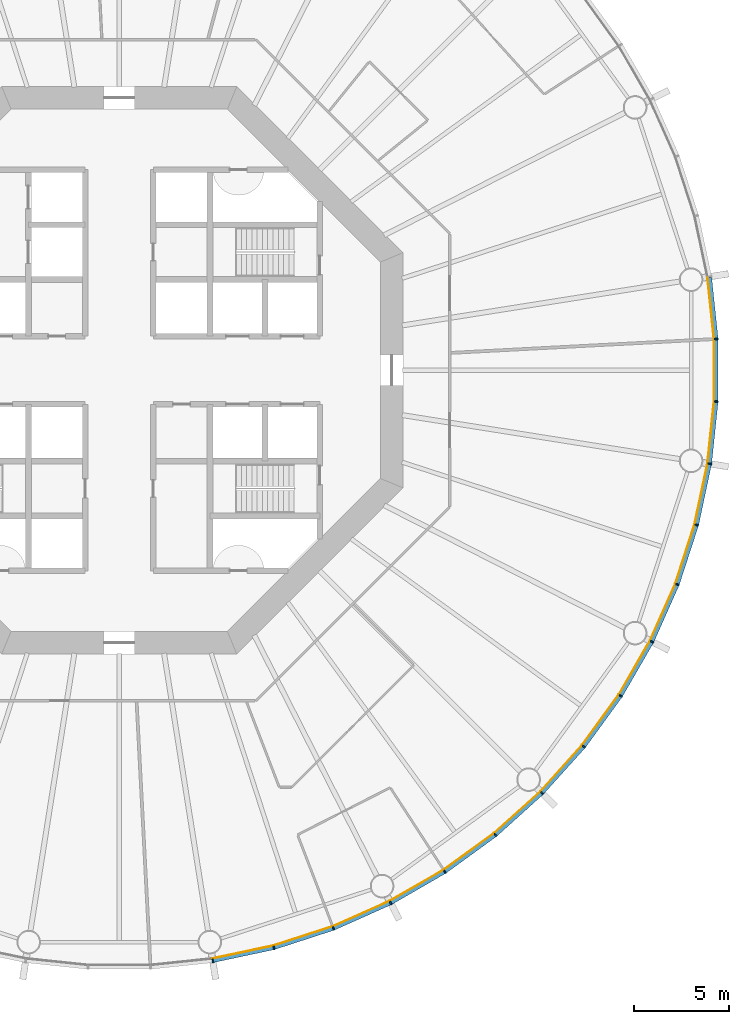
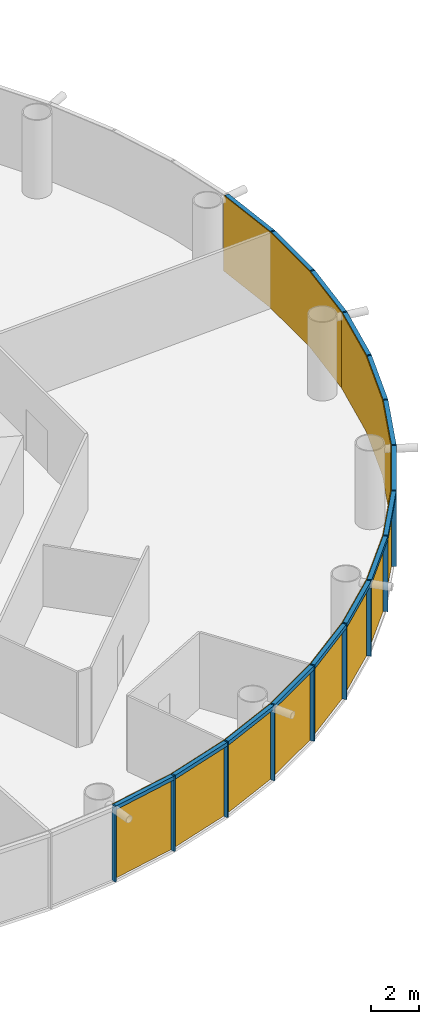
# One storey, part 9 of 13: 30 members, 5 curtain walls.
"""IFC4 building model written with IfcOpenShell, lengths in metres."""

from ifc_helpers import new_model, si_unit, direction, frame, origin, origin_2d, place, context, subcontext, project, spatial, polyline, rectangle, outline, extrude, material, layer, layer_set, material_profile, profile_set, type_object, element, aggregate, save


model = new_model("IFC4")

# Units and contexts
model_context = context("Model", 3, precision=1e-05, world=origin(), true_north=direction((0.0, 1.0)))
body_context = subcontext(model_context, "Body", "Model", "MODEL_VIEW")
ifc_project = project(units=[si_unit("LENGTHUNIT", "METRE"), si_unit("AREAUNIT", "SQUARE_METRE"), si_unit("VOLUMEUNIT", "CUBIC_METRE"), si_unit("PLANEANGLEUNIT", "RADIAN"), si_unit("MASSUNIT", "GRAM", prefix="KILO")], contexts=[model_context])

# Member
ifc_material_1 = material(Name="Anodised aluminium", Category="aluminium")
ifc_material_profile_1 = material_profile(ifc_material_1, rectangle(XDim=0.070068359375, YDim=0.199951171875, at=origin_2d()), Name="Mullion 70 x 200 mm anodised aluminium")
ifc_profile_set_1 = profile_set([ifc_material_profile_1], Name="Anodised aluminium")
member_type_1 = type_object("IfcMemberType", Name="Mullion 70 x 200 mm anodised aluminium", PredefinedType="MULLION", material=ifc_profile_set_1)
site_placement = place(None, origin())
building_placement = place(site_placement, origin())
storey_placement = place(building_placement, frame((0.0, 0.0, 92.0)))
member_1_placement = place(storey_placement, frame((94.943359375, 48.7890625, 0.0), z_axis=(0.0, 0.0, 1.0), x_axis=(0.987688340595, 0.15643446504, 0.0)))
member_1 = element("IfcMember", 1, at=member_1_placement, type_object=member_type_1, Name="MULLION L20-45", PredefinedType="MULLION", context=body_context, shape_type="SweptSolid", body=[
    extrude(rectangle(XDim=0.070068359375, YDim=0.199951171875, at=origin_2d()), origin(), (0.0, 0.0, 1.0), 3.85009765625),
])

member_2_placement = place(storey_placement, frame((98.1787109375, 49.476806640625, 0.0), z_axis=(0.0, 0.0, 1.0), x_axis=(0.965925826289, 0.258819045103, 0.0)))
member_2 = element("IfcMember", 2, at=member_2_placement, type_object=member_type_1, Name="MULLION L20-46", PredefinedType="MULLION", context=body_context, shape_type="SweptSolid", body=[
    extrude(rectangle(XDim=0.070068359375, YDim=0.199951171875, at=origin_2d()), origin(), (0.0, 0.0, 1.0), 3.85009765625),
])

member_3_placement = place(storey_placement, frame((101.324462890625, 50.498779296875, 0.0), z_axis=(0.0, 0.0, 1.0), x_axis=(0.933580426497, 0.358367949545, 0.0)))
member_3 = element("IfcMember", 3, at=member_3_placement, type_object=member_type_1, Name="MULLION L20-47", PredefinedType="MULLION", context=body_context, shape_type="SweptSolid", body=[
    extrude(rectangle(XDim=0.070068359375, YDim=0.199951171875, at=origin_2d()), origin(), (0.0, 0.0, 1.0), 3.85009765625),
])

member_4_placement = place(storey_placement, frame((104.34619140625, 51.84423828125, 0.0), z_axis=(0.0, 0.0, 1.0), x_axis=(0.891006524188, 0.45399049974, 0.0)))
member_4 = element("IfcMember", 4, at=member_4_placement, type_object=member_type_1, Name="MULLION L20-48", PredefinedType="MULLION", context=body_context, shape_type="SweptSolid", body=[
    extrude(rectangle(XDim=0.070068359375, YDim=0.199951171875, at=origin_2d()), origin(), (0.0, 0.0, 1.0), 3.85009765625),
])

member_5_placement = place(storey_placement, frame((107.210693359375, 53.498046875, 0.0), z_axis=(0.0, 0.0, 1.0), x_axis=(0.838670567945, 0.544639035015, 0.0)))
member_5 = element("IfcMember", 5, at=member_5_placement, type_object=member_type_1, Name="MULLION L20-49", PredefinedType="MULLION", context=body_context, shape_type="SweptSolid", body=[
    extrude(rectangle(XDim=0.070068359375, YDim=0.199951171875, at=origin_2d()), origin(), (0.0, 0.0, 1.0), 3.85009765625),
])

member_6_placement = place(storey_placement, frame((109.886474609375, 55.442138671875, 0.0), z_axis=(0.0, 0.0, 1.0), x_axis=(0.777145961457, 0.62932039105, 0.0)))
member_6 = element("IfcMember", 6, at=member_6_placement, type_object=member_type_1, Name="MULLION L20-50", PredefinedType="MULLION", context=body_context, shape_type="SweptSolid", body=[
    extrude(rectangle(XDim=0.070068359375, YDim=0.199951171875, at=origin_2d()), origin(), (0.0, 0.0, 1.0), 3.85009765625),
])

member_7_placement = place(storey_placement, frame((112.344482421875, 57.655517578125, 0.0), z_axis=(0.0, 0.0, 1.0), x_axis=(0.707106781187, 0.707106781187, 0.0)))
member_7 = element("IfcMember", 7, at=member_7_placement, type_object=member_type_1, Name="MULLION L20-51", PredefinedType="MULLION", context=body_context, shape_type="SweptSolid", body=[
    extrude(rectangle(XDim=0.070068359375, YDim=0.199951171875, at=origin_2d()), origin(), (0.0, 0.0, 1.0), 3.85009765625),
])

member_8_placement = place(storey_placement, frame((114.557861328125, 60.113525390625, 0.0), z_axis=(0.0, 0.0, 1.0), x_axis=(0.62932039105, 0.777145961457, 0.0)))
member_8 = element("IfcMember", 8, at=member_8_placement, type_object=member_type_1, Name="MULLION L20-52", PredefinedType="MULLION", context=body_context, shape_type="SweptSolid", body=[
    extrude(rectangle(XDim=0.070068359375, YDim=0.199951171875, at=origin_2d()), origin(), (0.0, 0.0, 1.0), 3.85009765625),
])

member_9_placement = place(storey_placement, frame((116.501953125, 62.789306640625, 0.0), z_axis=(0.0, 0.0, 1.0), x_axis=(0.544639035015, 0.838670567945, 0.0)))
member_9 = element("IfcMember", 9, at=member_9_placement, type_object=member_type_1, Name="MULLION L20-53", PredefinedType="MULLION", context=body_context, shape_type="SweptSolid", body=[
    extrude(rectangle(XDim=0.070068359375, YDim=0.199951171875, at=origin_2d()), origin(), (0.0, 0.0, 1.0), 3.85009765625),
])

member_10_placement = place(storey_placement, frame((118.15576171875, 65.65380859375, 0.0), z_axis=(0.0, 0.0, 1.0), x_axis=(0.45399049974, 0.891006524188, 0.0)))
member_10 = element("IfcMember", 10, at=member_10_placement, type_object=member_type_1, Name="MULLION L20-54", PredefinedType="MULLION", context=body_context, shape_type="SweptSolid", body=[
    extrude(rectangle(XDim=0.070068359375, YDim=0.199951171875, at=origin_2d()), origin(), (0.0, 0.0, 1.0), 3.85009765625),
])

member_11_placement = place(storey_placement, frame((119.501220703125, 68.675537109375, 0.0), z_axis=(0.0, 0.0, 1.0), x_axis=(0.358367949545, 0.933580426497, 0.0)))
member_11 = element("IfcMember", 11, at=member_11_placement, type_object=member_type_1, Name="MULLION L20-55", PredefinedType="MULLION", context=body_context, shape_type="SweptSolid", body=[
    extrude(rectangle(XDim=0.070068359375, YDim=0.199951171875, at=origin_2d()), origin(), (0.0, 0.0, 1.0), 3.85009765625),
])

member_12_placement = place(storey_placement, frame((120.523193359375, 71.8212890625, 0.0), z_axis=(0.0, 0.0, 1.0), x_axis=(0.258819045103, 0.965925826289, 0.0)))
member_12 = element("IfcMember", 12, at=member_12_placement, type_object=member_type_1, Name="MULLION L20-56", PredefinedType="MULLION", context=body_context, shape_type="SweptSolid", body=[
    extrude(rectangle(XDim=0.070068359375, YDim=0.199951171875, at=origin_2d()), origin(), (0.0, 0.0, 1.0), 3.85009765625),
])

member_13_placement = place(storey_placement, frame((121.2109375, 75.056640625, 0.0), z_axis=(0.0, 0.0, 1.0), x_axis=(0.15643446504, 0.987688340595, 0.0)))
member_13 = element("IfcMember", 13, at=member_13_placement, type_object=member_type_1, Name="MULLION L20-57", PredefinedType="MULLION", context=body_context, shape_type="SweptSolid", body=[
    extrude(rectangle(XDim=0.070068359375, YDim=0.199951171875, at=origin_2d()), origin(), (0.0, 0.0, 1.0), 3.85009765625),
])

member_14_placement = place(storey_placement, frame((121.556640625, 78.34619140625, 0.0), z_axis=(0.0, 0.0, 1.0), x_axis=(0.052335956243, 0.998629534755, 0.0)))
member_14 = element("IfcMember", 14, at=member_14_placement, type_object=member_type_1, Name="MULLION L20-58", PredefinedType="MULLION", context=body_context, shape_type="SweptSolid", body=[
    extrude(rectangle(XDim=0.070068359375, YDim=0.199951171875, at=origin_2d()), origin(), (0.0, 0.0, 1.0), 3.85009765625),
])

member_15_placement = place(storey_placement, frame((121.556640625, 81.65380859375, 0.0), z_axis=(0.0, 0.0, 1.0), x_axis=(-0.052335956243, 0.998629534755, 0.0)))
member_15 = element("IfcMember", 15, at=member_15_placement, type_object=member_type_1, Name="MULLION L20-59", PredefinedType="MULLION", context=body_context, shape_type="SweptSolid", body=[
    extrude(rectangle(XDim=0.070068359375, YDim=0.199951171875, at=origin_2d()), origin(), (0.0, 0.0, 1.0), 3.85009765625),
])

ifc_material_2 = material(Name="Anodised aluminium", Category="aluminium")
ifc_material_profile_2 = material_profile(ifc_material_2, rectangle(XDim=0.199951171875, YDim=0.18994140625, at=origin_2d()), Name="Transom 190 x 200 mm anodised aluminium")
ifc_profile_set_2 = profile_set([ifc_material_profile_2], Name="Anodised aluminium")
member_type_2 = type_object("IfcMemberType", Name="Transom 190 x 200 mm anodised aluminium", PredefinedType="USERDEFINED", material=ifc_profile_set_2)
member_16_placement = place(storey_placement, frame((94.982666015625, 48.79736328125, 3.7548828125), z_axis=(0.978153082647, 0.207885898771, 0.0), x_axis=(-0.207885898771, 0.978153082647, 0.0)))
member_16 = element("IfcMember", 16, at=member_16_placement, type_object=member_type_2, Name="TRANSOM L20-45", ObjectType="TRANSOM", PredefinedType="USERDEFINED", context=body_context, shape_type="SweptSolid", body=[
    extrude(rectangle(XDim=0.199951171875, YDim=0.18994140625, at=origin_2d()), origin(), (0.0, 0.0, 1.0), 3.227294921875),
])

member_17_placement = place(storey_placement, frame((98.217041015625, 49.489013671875, 3.7548828125), z_axis=(0.951046855117, 0.309046726844, 0.0), x_axis=(-0.309046726844, 0.951046855117, 0.0)))
member_17 = element("IfcMember", 17, at=member_17_placement, type_object=member_type_2, Name="TRANSOM L20-46", ObjectType="TRANSOM", PredefinedType="USERDEFINED", context=body_context, shape_type="SweptSolid", body=[
    extrude(rectangle(XDim=0.199951171875, YDim=0.18994140625, at=origin_2d()), origin(), (0.0, 0.0, 1.0), 3.22705078125),
])

member_18_placement = place(storey_placement, frame((101.361328125, 50.51513671875, 3.7548828125), z_axis=(0.913549291349, 0.406728032322, 0.0), x_axis=(-0.406728032322, 0.913549291349, 0.0)))
member_18 = element("IfcMember", 18, at=member_18_placement, type_object=member_type_2, Name="TRANSOM L20-47", ObjectType="TRANSOM", PredefinedType="USERDEFINED", context=body_context, shape_type="SweptSolid", body=[
    extrude(rectangle(XDim=0.199951171875, YDim=0.18994140625, at=origin_2d()), origin(), (0.0, 0.0, 1.0), 3.22705078125),
])

member_19_placement = place(storey_placement, frame((104.381103515625, 51.8642578125, 3.7548828125), z_axis=(0.866023062494, 0.500004055213, 0.0), x_axis=(-0.500004055213, 0.866023062494, 0.0)))
member_19 = element("IfcMember", 19, at=member_19_placement, type_object=member_type_2, Name="TRANSOM L20-48", ObjectType="TRANSOM", PredefinedType="USERDEFINED", context=body_context, shape_type="SweptSolid", body=[
    extrude(rectangle(XDim=0.199951171875, YDim=0.18994140625, at=origin_2d()), origin(), (0.0, 0.0, 1.0), 3.22705078125),
])

member_20_placement = place(storey_placement, frame((107.2431640625, 53.521484375, 3.7548828125), z_axis=(0.809004252048, 0.587802790201, 0.0), x_axis=(-0.587802790201, 0.809004252048, 0.0)))
member_20 = element("IfcMember", 20, at=member_20_placement, type_object=member_type_2, Name="TRANSOM L20-49", ObjectType="TRANSOM", PredefinedType="USERDEFINED", context=body_context, shape_type="SweptSolid", body=[
    extrude(rectangle(XDim=0.199951171875, YDim=0.18994140625, at=origin_2d()), origin(), (0.0, 0.0, 1.0), 3.227294921875),
])

member_21_placement = place(storey_placement, frame((109.91650390625, 55.468994140625, 3.7548828125), z_axis=(0.743132370743, 0.669144438484, 0.0), x_axis=(-0.669144438484, 0.743132370743, 0.0)))
member_21 = element("IfcMember", 21, at=member_21_placement, type_object=member_type_2, Name="TRANSOM L20-50", ObjectType="TRANSOM", PredefinedType="USERDEFINED", context=body_context, shape_type="SweptSolid", body=[
    extrude(rectangle(XDim=0.199951171875, YDim=0.18994140625, at=origin_2d()), origin(), (0.0, 0.0, 1.0), 3.22705078125),
])

member_22_placement = place(storey_placement, frame((112.37158203125, 57.685302734375, 3.7548828125), z_axis=(0.669144438484, 0.743132370743, 0.0), x_axis=(-0.743132370743, 0.669144438484, 0.0)))
member_22 = element("IfcMember", 22, at=member_22_placement, type_object=member_type_2, Name="TRANSOM L20-51", ObjectType="TRANSOM", PredefinedType="USERDEFINED", context=body_context, shape_type="SweptSolid", body=[
    extrude(rectangle(XDim=0.199951171875, YDim=0.18994140625, at=origin_2d()), origin(), (0.0, 0.0, 1.0), 3.22705078125),
])

member_23_placement = place(storey_placement, frame((114.58154296875, 60.14599609375, 3.7548828125), z_axis=(0.587802790201, 0.809004252048, 0.0), x_axis=(-0.809004252048, 0.587802790201, 0.0)))
member_23 = element("IfcMember", 23, at=member_23_placement, type_object=member_type_2, Name="TRANSOM L20-52", ObjectType="TRANSOM", PredefinedType="USERDEFINED", context=body_context, shape_type="SweptSolid", body=[
    extrude(rectangle(XDim=0.199951171875, YDim=0.18994140625, at=origin_2d()), origin(), (0.0, 0.0, 1.0), 3.227294921875),
])

member_24_placement = place(storey_placement, frame((116.522216796875, 62.82421875, 3.7548828125), z_axis=(0.500004055213, 0.866023062494, 0.0), x_axis=(-0.866023062494, 0.500004055213, 0.0)))
member_24 = element("IfcMember", 24, at=member_24_placement, type_object=member_type_2, Name="TRANSOM L20-53", ObjectType="TRANSOM", PredefinedType="USERDEFINED", context=body_context, shape_type="SweptSolid", body=[
    extrude(rectangle(XDim=0.199951171875, YDim=0.18994140625, at=origin_2d()), origin(), (0.0, 0.0, 1.0), 3.22705078125),
])

member_25_placement = place(storey_placement, frame((118.17236328125, 65.690673828125, 3.7548828125), z_axis=(0.406728032322, 0.913549291349, 0.0), x_axis=(-0.913549291349, 0.406728032322, 0.0)))
member_25 = element("IfcMember", 25, at=member_25_placement, type_object=member_type_2, Name="TRANSOM L20-54", ObjectType="TRANSOM", PredefinedType="USERDEFINED", context=body_context, shape_type="SweptSolid", body=[
    extrude(rectangle(XDim=0.199951171875, YDim=0.18994140625, at=origin_2d()), origin(), (0.0, 0.0, 1.0), 3.22705078125),
])

member_26_placement = place(storey_placement, frame((119.513671875, 68.7138671875, 3.7548828125), z_axis=(0.309046726844, 0.951046855117, 0.0), x_axis=(-0.951046855117, 0.309046726844, 0.0)))
member_26 = element("IfcMember", 26, at=member_26_placement, type_object=member_type_2, Name="TRANSOM L20-55", ObjectType="TRANSOM", PredefinedType="USERDEFINED", context=body_context, shape_type="SweptSolid", body=[
    extrude(rectangle(XDim=0.199951171875, YDim=0.18994140625, at=origin_2d()), origin(), (0.0, 0.0, 1.0), 3.22705078125),
])

member_27_placement = place(storey_placement, frame((120.53173828125, 71.860595703125, 3.7548828125), z_axis=(0.207885898771, 0.978153082647, 0.0), x_axis=(-0.978153082647, 0.207885898771, 0.0)))
member_27 = element("IfcMember", 27, at=member_27_placement, type_object=member_type_2, Name="TRANSOM L20-56", ObjectType="TRANSOM", PredefinedType="USERDEFINED", context=body_context, shape_type="SweptSolid", body=[
    extrude(rectangle(XDim=0.199951171875, YDim=0.18994140625, at=origin_2d()), origin(), (0.0, 0.0, 1.0), 3.227294921875),
])

member_28_placement = place(storey_placement, frame((121.21533203125, 75.0966796875, 3.7548828125), z_axis=(0.104550890115, 0.994519537956, 0.0), x_axis=(-0.994519537956, 0.104550890115, 0.0)))
member_28 = element("IfcMember", 28, at=member_28_placement, type_object=member_type_2, Name="TRANSOM L20-57", ObjectType="TRANSOM", PredefinedType="USERDEFINED", context=body_context, shape_type="SweptSolid", body=[
    extrude(rectangle(XDim=0.199951171875, YDim=0.18994140625, at=origin_2d()), origin(), (0.0, 0.0, 1.0), 3.22705078125),
])

member_29_placement = place(storey_placement, frame((121.556884765625, 78.386474609375, 3.7548828125), z_axis=(0.0, 1.0, 0.0), x_axis=(-1.0, 0.0, 0.0)))
member_29 = element("IfcMember", 29, at=member_29_placement, type_object=member_type_2, Name="TRANSOM L20-58", ObjectType="TRANSOM", PredefinedType="USERDEFINED", context=body_context, shape_type="SweptSolid", body=[
    extrude(rectangle(XDim=0.199951171875, YDim=0.18994140625, at=origin_2d()), origin(), (0.0, 0.0, 1.0), 3.22705078125),
])

member_30_placement = place(storey_placement, frame((121.552734375, 81.69384765625, 3.7548828125), z_axis=(-0.104550890115, 0.994519537956, 0.0), x_axis=(-0.994519537956, -0.104550890115, 0.0)))
member_30 = element("IfcMember", 30, at=member_30_placement, type_object=member_type_2, Name="TRANSOM L20-59", ObjectType="TRANSOM", PredefinedType="USERDEFINED", context=body_context, shape_type="SweptSolid", body=[
    extrude(rectangle(XDim=0.199951171875, YDim=0.18994140625, at=origin_2d()), origin(), (0.0, 0.0, 1.0), 3.22705078125),
])

# Site, building, storey
site = spatial("IfcSite", under=ifc_project, at=site_placement, CompositionType="ELEMENT")
building = spatial("IfcBuilding", under=site, at=building_placement, Name="Entoto Ring Tower", CompositionType="ELEMENT")
storey = spatial("IfcBuildingStorey", under=building, at=storey_placement, Name="L20", CompositionType="ELEMENT", Elevation=92.0)

# Curtain wall
ifc_material_3 = material(Name="Clear low-iron glass", Category="glass")
ifc_layer = layer(ifc_material_3, 0.035888671875)
ifc_layer_set = layer_set([ifc_layer], Name="Clear low-iron glass")
curtain_wall_type = type_object("IfcCurtainWallType", Name="Curtain wall system CW2 glazing 36 mm", PredefinedType="NOTDEFINED", material=ifc_layer_set)
curtain_wall_1_placement = place(storey_placement, origin())
curtain_wall_1 = element("IfcCurtainWall", 31, at=curtain_wall_1_placement, inside=storey, type_object=curtain_wall_type, Name="CW2 L20-16", PredefinedType="NOTDEFINED", context=body_context, shape_type="SweptSolid", body=[
    extrude(outline(polyline([(94.927734375, 48.8876953125), (98.15283203125, 49.5732421875), (101.28857421875, 50.59228515625), (104.30078125, 51.933349609375), (104.284423828125, 51.96533203125), (101.275634765625, 50.6259765625), (98.1435546875, 49.608154296875), (94.922119140625, 48.92333984375), (94.927734375, 48.8876953125)])), origin(), (0.0, 0.0, 1.0), 3.85009765625),
])

aggregate(curtain_wall_1, [member_1, member_2, member_3, member_16, member_17, member_18])

curtain_wall_2_placement = place(storey_placement, origin())
curtain_wall_2 = element("IfcCurtainWall", 32, at=curtain_wall_2_placement, inside=storey, type_object=curtain_wall_type, Name="CW2 L20-17", PredefinedType="NOTDEFINED", context=body_context, shape_type="SweptSolid", body=[
    extrude(outline(polyline([(104.30078125, 51.933349609375), (107.15625, 53.581787109375), (109.823486328125, 55.52001953125), (112.27392578125, 57.72607421875), (112.248291015625, 57.751708984375), (109.801025390625, 55.5478515625), (107.136474609375, 53.612060546875), (104.284423828125, 51.96533203125), (104.30078125, 51.933349609375)])), origin(), (0.0, 0.0, 1.0), 3.85009765625),
])

aggregate(curtain_wall_2, [member_4, member_5, member_6, member_19, member_20, member_21])

curtain_wall_3_placement = place(storey_placement, origin())
curtain_wall_3 = element("IfcCurtainWall", 33, at=curtain_wall_3_placement, inside=storey, type_object=curtain_wall_type, Name="CW2 L20-18", PredefinedType="NOTDEFINED", context=body_context, shape_type="SweptSolid", body=[
    extrude(outline(polyline([(112.27392578125, 57.72607421875), (114.47998046875, 60.176513671875), (116.418212890625, 62.84375), (118.066650390625, 65.69921875), (118.03466796875, 65.715576171875), (116.387939453125, 62.863525390625), (114.4521484375, 60.198974609375), (112.248291015625, 57.751708984375), (112.27392578125, 57.72607421875)])), origin(), (0.0, 0.0, 1.0), 3.85009765625),
])

aggregate(curtain_wall_3, [member_7, member_8, member_9, member_22, member_23, member_24])

curtain_wall_4_placement = place(storey_placement, origin())
curtain_wall_4 = element("IfcCurtainWall", 34, at=curtain_wall_4_placement, inside=storey, type_object=curtain_wall_type, Name="CW2 L20-19", PredefinedType="NOTDEFINED", context=body_context, shape_type="SweptSolid", body=[
    extrude(outline(polyline([(118.066650390625, 65.69921875), (119.40771484375, 68.71142578125), (120.4267578125, 71.84716796875), (121.1123046875, 75.072265625), (121.07666015625, 75.077880859375), (120.391845703125, 71.8564453125), (119.3740234375, 68.724365234375), (118.03466796875, 65.715576171875), (118.066650390625, 65.69921875)])), origin(), (0.0, 0.0, 1.0), 3.85009765625),
])

aggregate(curtain_wall_4, [member_10, member_11, member_12, member_25, member_26, member_27])

curtain_wall_5_placement = place(storey_placement, origin())
curtain_wall_5 = element("IfcCurtainWall", 35, at=curtain_wall_5_placement, inside=storey, type_object=curtain_wall_type, Name="CW2 L20-20", PredefinedType="NOTDEFINED", context=body_context, shape_type="SweptSolid", body=[
    extrude(outline(polyline([(121.1123046875, 75.072265625), (121.456787109375, 78.351318359375), (121.456787109375, 81.648681640625), (121.1123046875, 84.927734375), (121.07666015625, 84.922119140625), (121.4208984375, 81.646728515625), (121.4208984375, 78.353271484375), (121.07666015625, 75.077880859375), (121.1123046875, 75.072265625)])), origin(), (0.0, 0.0, 1.0), 3.85009765625),
])

aggregate(curtain_wall_5, [member_13, member_14, member_15, member_28, member_29, member_30])

save(model, "model.ifc")
